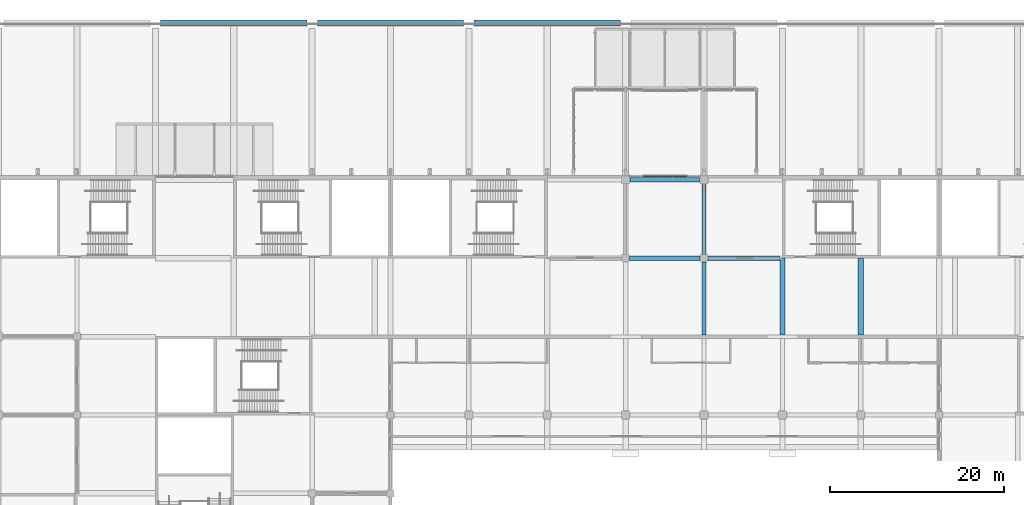
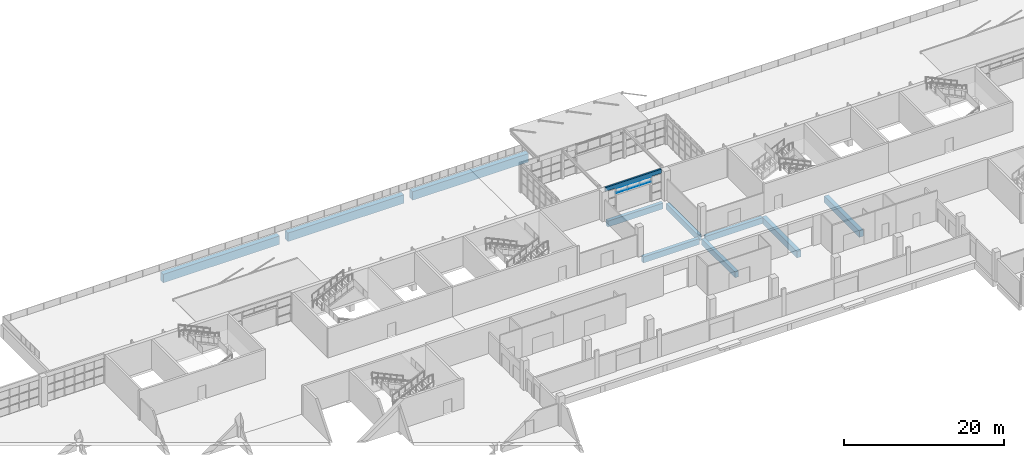
# One storey, part 60 of 168: 11 beams, 6 members, 1 element without a shape of its own.
"""IFC4 building model written with IfcOpenShell, lengths in metres."""

from ifc_helpers import new_model, si_unit, direction, frame, origin, origin_2d, place, context, subcontext, project, spatial, rectangle, extrude, material, material_profile, profile_set, type_object, element, aggregate, save


model = new_model("IFC4")

# Units and contexts
model_context = context("Model", 3, precision=1e-05, world=origin(), true_north=direction((0.0, 1.0)))
body_context = subcontext(model_context, "Body", "Model", "MODEL_VIEW")
ifc_project = project(units=[si_unit("LENGTHUNIT", "METRE"), si_unit("AREAUNIT", "SQUARE_METRE"), si_unit("VOLUMEUNIT", "CUBIC_METRE"), si_unit("PLANEANGLEUNIT", "RADIAN"), si_unit("MASSUNIT", "GRAM", prefix="KILO")], contexts=[model_context])

# Site, building, storey
site_placement = place(None, origin())
site = spatial("IfcSite", under=ifc_project, at=site_placement, CompositionType="ELEMENT")
building_placement = place(site_placement, origin())
building = spatial("IfcBuilding", under=site, at=building_placement, Name="Silverbay Arena", CompositionType="ELEMENT")
storey_placement = place(building_placement, frame((0.0, 0.0, 7.0)))
storey = spatial("IfcBuildingStorey", under=building, at=storey_placement, Name="L01", CompositionType="ELEMENT", Elevation=7.0)

# Beams
ifc_material_1 = material(Name="Concrete Grade C45", Category="concrete")
ifc_material_profile_1 = material_profile(ifc_material_1, rectangle(XDim=0.5, YDim=0.89990234375, at=origin_2d()), Name="RC 500x900")
ifc_profile_set_1 = profile_set([ifc_material_profile_1], Name="Concrete Grade C45")
beam_type_1 = type_object("IfcBeamType", Name="RC beam 500x900", PredefinedType="BEAM", material=ifc_profile_set_1)
beam_1_placement = place(storey_placement, frame((126.449951171875, 135.0, -0.800048828125), z_axis=(1.0, 0.0, 0.0), x_axis=(0.0, 1.0, 0.0)))
element("IfcBeam", 1, at=beam_1_placement, inside=storey, type_object=beam_type_1, Name="Floor beam L01 167", PredefinedType="BEAM", context=body_context, shape_type="SweptSolid", body=[
    extrude(rectangle(XDim=0.5, YDim=0.89990234375, at=origin_2d()), origin(), (0.0, 0.0, 1.0), 8.10009765625),
])
beam_2_placement = place(storey_placement, frame((135.449951171875, 135.0, -0.800048828125), z_axis=(1.0, 0.0, 0.0), x_axis=(0.0, 1.0, 0.0)))
element("IfcBeam", 2, at=beam_2_placement, inside=storey, type_object=beam_type_1, Name="Floor beam L01 168", PredefinedType="BEAM", context=body_context, shape_type="SweptSolid", body=[
    extrude(rectangle(XDim=0.5, YDim=0.89990234375, at=origin_2d()), origin(), (0.0, 0.0, 1.0), 8.25),
])
beam_3_placement = place(storey_placement, frame((126.5, 144.0, -0.800048828125), z_axis=(1.0, 0.0, 0.0), x_axis=(0.0, 1.0, 0.0)))
element("IfcBeam", 3, at=beam_3_placement, inside=storey, type_object=beam_type_1, Name="Floor beam L01 176", PredefinedType="BEAM", context=body_context, shape_type="SweptSolid", body=[
    extrude(rectangle(XDim=0.5, YDim=0.89990234375, at=origin_2d()), origin(), (0.0, 0.0, 1.0), 8.0),
])
beam_4_placement = place(storey_placement, frame((135.0, 126.199951171875, -0.800048828125), z_axis=(0.0, 1.0, 0.0), x_axis=(-1.0, 0.0, 0.0)))
element("IfcBeam", 4, at=beam_4_placement, inside=storey, type_object=beam_type_1, Name="Floor beam L01 279", PredefinedType="BEAM", context=body_context, shape_type="SweptSolid", body=[
    extrude(rectangle(XDim=0.5, YDim=0.89990234375, at=origin_2d()), origin(), (0.0, 0.0, 1.0), 8.35009765625),
])
beam_5_placement = place(storey_placement, frame((135.0, 135.449951171875, -0.800048828125), z_axis=(0.0, 1.0, 0.0), x_axis=(-1.0, 0.0, 0.0)))
element("IfcBeam", 5, at=beam_5_placement, inside=storey, type_object=beam_type_1, Name="Floor beam L01 280", PredefinedType="BEAM", context=body_context, shape_type="SweptSolid", body=[
    extrude(rectangle(XDim=0.5, YDim=0.89990234375, at=origin_2d()), origin(), (0.0, 0.0, 1.0), 8.050048828125),
])
ifc_material_2 = material(Name="Concrete Grade C45", Category="concrete")
ifc_material_profile_2 = material_profile(ifc_material_2, rectangle(XDim=0.60009765625, YDim=1.0, at=origin_2d()), Name="RC 600x1000")
ifc_profile_set_2 = profile_set([ifc_material_profile_2], Name="Concrete Grade C45")
beam_type_2 = type_object("IfcBeamType", Name="RC beam 600x1000", PredefinedType="BEAM", material=ifc_profile_set_2)
for number, where, z_axis, x_axis, name in (
    (6, (144.0, 126.199951171875, -0.85009765625), (0.0, 1.0, 0.0), (-1.0, 0.0, 0.0), "Floor beam L01 286"),
    (7, (153.0, 126.199951171875, -0.85009765625), (0.0, 1.0, 0.0), (-1.0, 0.0, 0.0), "Floor beam L01 292"),
):
    element("IfcBeam", number, at=place(storey_placement, frame(where, z_axis=z_axis, x_axis=x_axis)), inside=storey, type_object=beam_type_2, Name=name, PredefinedType="BEAM", context=body_context, shape_type="SweptSolid", body=[
        extrude(rectangle(XDim=0.60009765625, YDim=1.0, at=origin_2d()), origin(), (0.0, 0.0, 1.0), 8.800048828125),
    ])
ifc_material_3 = material(Name="Concrete Grade C45", Category="concrete")
ifc_material_profile_3 = material_profile(ifc_material_3, rectangle(XDim=0.25, YDim=0.60009765625, at=origin_2d()), Name="RC 250x600")
ifc_profile_set_3 = profile_set([ifc_material_profile_3], Name="Concrete Grade C45")
beam_type_3 = type_object("IfcBeamType", Name="RC facade beam 250x600", PredefinedType="SPANDREL", material=ifc_profile_set_3)
beam_6_placement = place(storey_placement, frame((126.449951171875, 144.375, 4.199951171875), z_axis=(1.0, 0.0, 0.0), x_axis=(0.0, 1.0, 0.0)))
element("IfcBeam", 8, at=beam_6_placement, inside=storey, type_object=beam_type_3, Name="Facade beam L01 north", PredefinedType="SPANDREL", context=body_context, shape_type="SweptSolid", body=[
    extrude(rectangle(XDim=0.25, YDim=0.60009765625, at=origin_2d()), origin(), (0.0, 0.0, 1.0), 8.10009765625),
])
ifc_material_4 = material(Name="Concrete Grade C45", Category="concrete")
ifc_material_profile_4 = material_profile(ifc_material_4, rectangle(XDim=0.699951171875, YDim=1.300048828125, at=origin_2d()), Name="RC 700x1300")
ifc_profile_set_4 = profile_set([ifc_material_profile_4], Name="Concrete Grade C45")
beam_type_4 = type_object("IfcBeamType", Name="RC girder 700x1300", PredefinedType="BEAM", material=ifc_profile_set_4)
for number, where, z_axis, x_axis, name in (
    (9, (72.60009765625, 162.0, -1.10009765625), (1.0, 0.0, 0.0), (0.0, 1.0, 0.0), "Deck girder 139"),
    (10, (90.60009765625, 162.0, -1.10009765625), (1.0, 0.0, 0.0), (0.0, 1.0, 0.0), "Deck girder 139"),
    (11, (108.60009765625, 162.0, -1.10009765625), (1.0, 0.0, 0.0), (0.0, 1.0, 0.0), "Deck girder 139"),
):
    element("IfcBeam", number, at=place(storey_placement, frame(where, z_axis=z_axis, x_axis=x_axis)), inside=storey, type_object=beam_type_4, Name=name, PredefinedType="BEAM", context=body_context, shape_type="SweptSolid", body=[
        extrude(rectangle(XDim=0.699951171875, YDim=1.300048828125, at=origin_2d()), origin(), (0.0, 0.0, 1.0), 16.7998046875),
    ])

# Curtain wall, members
ifc_material_5 = material(Name="Aluminium framed curtain wall", Category="aluminium")
curtain_wall_type = type_object("IfcCurtainWallType", Name="Curtain wall 5100 x 800", PredefinedType="NOTDEFINED", material=ifc_material_5)
curtain_wall_placement = place(storey_placement, origin())
curtain_wall = element("IfcCurtainWall", 12, at=curtain_wall_placement, inside=storey, type_object=curtain_wall_type, Name="North curtain wall L01 bay 12", PredefinedType="NOTDEFINED")
ifc_material_6 = material(Name="Aluminium", Category="aluminium")
ifc_material_profile_5 = material_profile(ifc_material_6, rectangle(XDim=0.1201171875, YDim=0.050048828125, at=origin_2d()), Name="Transom 50 x 120")
ifc_profile_set_5 = profile_set([ifc_material_profile_5], Name="Aluminium")
member_type = type_object("IfcMemberType", Name="Transom 50 x 120", PredefinedType="USERDEFINED", material=ifc_profile_set_5)
member_1_placement = place(storey_placement, frame((132.989990234375, 144.330078125, 3.125), z_axis=(-1.0, 0.0, 0.0), x_axis=(0.0, -1.0, 0.0)))
member_1 = element("IfcMember", 13, at=member_1_placement, type_object=member_type, Name="CW3 transom 1.1", ObjectType="TRANSOM", PredefinedType="USERDEFINED", context=body_context, shape_type="SweptSolid", body=[
    extrude(rectangle(XDim=0.1201171875, YDim=0.050048828125, at=origin_2d()), origin(), (0.0, 0.0, 1.0), 1.610107421875),
])
member_2_placement = place(storey_placement, frame((132.989990234375, 144.330078125, 3.875), z_axis=(-1.0, 0.0, 0.0), x_axis=(0.0, -1.0, 0.0)))
member_2 = element("IfcMember", 14, at=member_2_placement, type_object=member_type, Name="CW3 transom 1.2", ObjectType="TRANSOM", PredefinedType="USERDEFINED", context=body_context, shape_type="SweptSolid", body=[
    extrude(rectangle(XDim=0.1201171875, YDim=0.050048828125, at=origin_2d()), origin(), (0.0, 0.0, 1.0), 1.610107421875),
])
member_3_placement = place(storey_placement, frame((131.320068359375, 144.330078125, 3.125), z_axis=(-1.0, 0.0, 0.0), x_axis=(0.0, -1.0, 0.0)))
member_3 = element("IfcMember", 15, at=member_3_placement, type_object=member_type, Name="CW3 transom 2.1", ObjectType="TRANSOM", PredefinedType="USERDEFINED", context=body_context, shape_type="SweptSolid", body=[
    extrude(rectangle(XDim=0.1201171875, YDim=0.050048828125, at=origin_2d()), origin(), (0.0, 0.0, 1.0), 1.64013671875),
])
member_4_placement = place(storey_placement, frame((131.320068359375, 144.330078125, 3.875), z_axis=(-1.0, 0.0, 0.0), x_axis=(0.0, -1.0, 0.0)))
member_4 = element("IfcMember", 16, at=member_4_placement, type_object=member_type, Name="CW3 transom 2.2", ObjectType="TRANSOM", PredefinedType="USERDEFINED", context=body_context, shape_type="SweptSolid", body=[
    extrude(rectangle(XDim=0.1201171875, YDim=0.050048828125, at=origin_2d()), origin(), (0.0, 0.0, 1.0), 1.64013671875),
])
member_5_placement = place(storey_placement, frame((129.6201171875, 144.330078125, 3.125), z_axis=(-1.0, 0.0, 0.0), x_axis=(0.0, -1.0, 0.0)))
member_5 = element("IfcMember", 17, at=member_5_placement, type_object=member_type, Name="CW3 transom 3.1", ObjectType="TRANSOM", PredefinedType="USERDEFINED", context=body_context, shape_type="SweptSolid", body=[
    extrude(rectangle(XDim=0.1201171875, YDim=0.050048828125, at=origin_2d()), origin(), (0.0, 0.0, 1.0), 1.610107421875),
])
member_6_placement = place(storey_placement, frame((129.6201171875, 144.330078125, 3.875), z_axis=(-1.0, 0.0, 0.0), x_axis=(0.0, -1.0, 0.0)))
member_6 = element("IfcMember", 18, at=member_6_placement, type_object=member_type, Name="CW3 transom 3.2", ObjectType="TRANSOM", PredefinedType="USERDEFINED", context=body_context, shape_type="SweptSolid", body=[
    extrude(rectangle(XDim=0.1201171875, YDim=0.050048828125, at=origin_2d()), origin(), (0.0, 0.0, 1.0), 1.610107421875),
])
aggregate(curtain_wall, [member_1, member_2, member_3, member_4, member_5, member_6])

save(model, "model.ifc")
